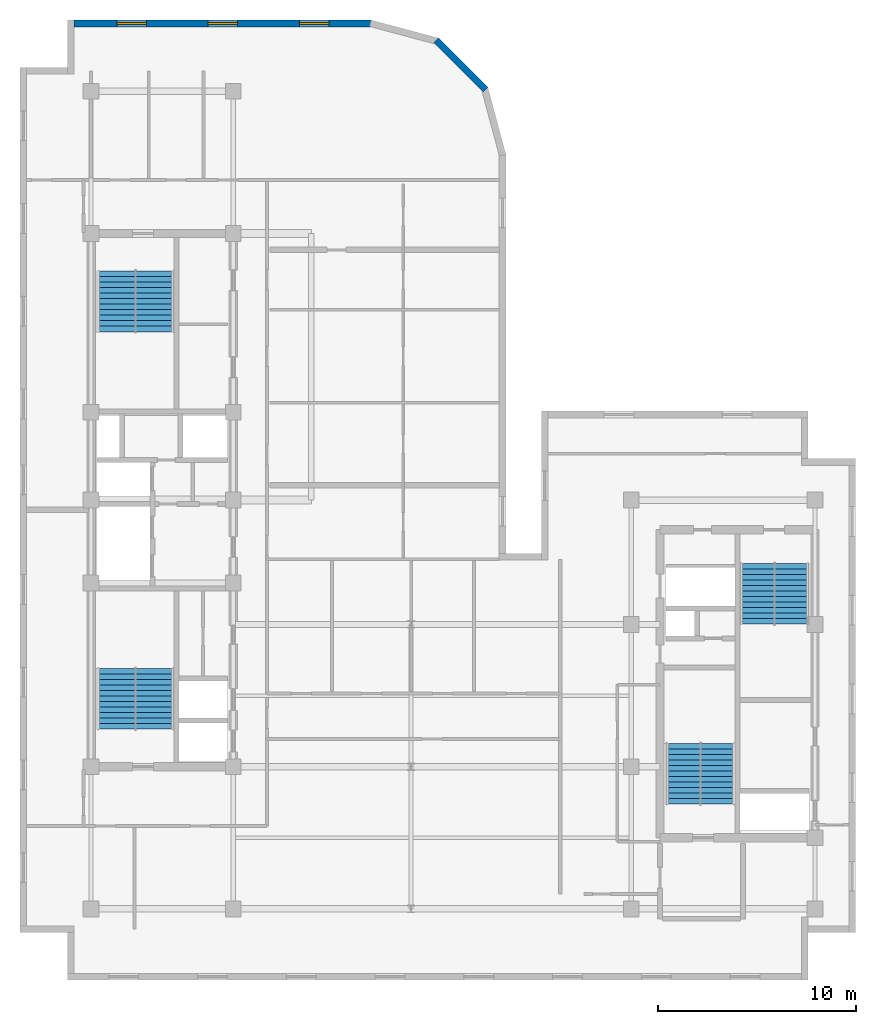
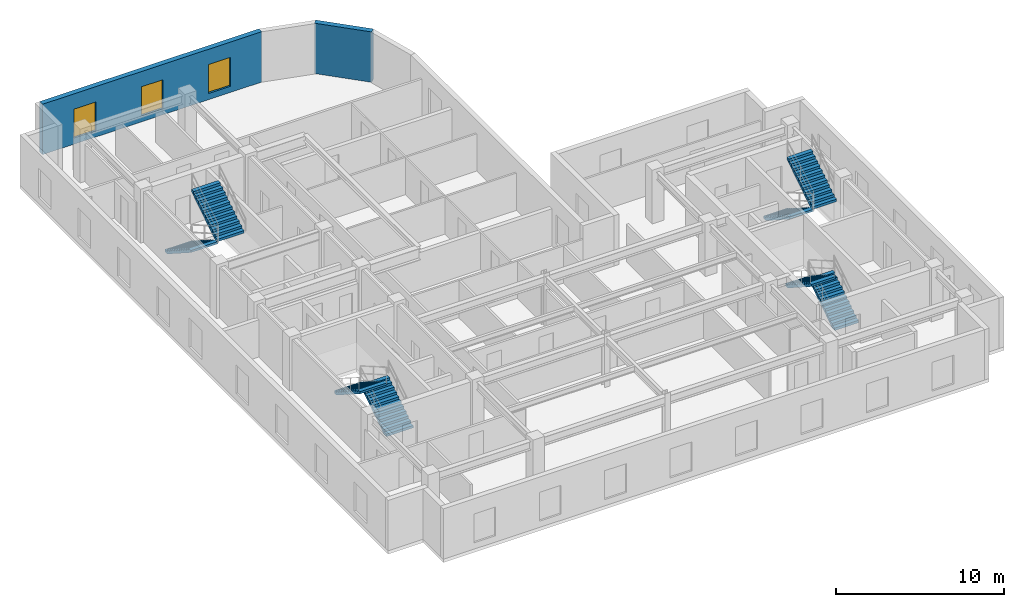
# One storey, part 7 of 10: 8 stair flights, 3 windows, 2 walls, 3 openings, 4 elements without a shape of their own.
"""IFC4 building model written with IfcOpenShell, lengths in metres."""

from ifc_helpers import new_model, entity, si_unit, converted_unit, direction, frame, origin_with_axes, origin_2d_with_axis, place, context, subcontext, project, spatial, polyline, rectangle, outline, extrude, material, layer, layer_set, type_object, element, fill, aggregate, save


model = new_model("IFC4")

# Units and contexts
model_context = context("Model", 3, precision=1e-05, world=origin_with_axes(), true_north=direction((0.0, 1.0)))
body_context = subcontext(model_context, "Body", "Model", "MODEL_VIEW")
ifc_project = project(units=[si_unit("LENGTHUNIT", "METRE"), si_unit("AREAUNIT", "SQUARE_METRE"), si_unit("VOLUMEUNIT", "CUBIC_METRE"), converted_unit("PLANEANGLEUNIT", "DEGREE", entity("IfcPlaneAngleMeasure", 0.017453292519943295), si_unit("PLANEANGLEUNIT", "RADIAN"), dimensions=[0, 0, 0, 0, 0, 0, 0]), si_unit("MASSUNIT", "GRAM", prefix="KILO"), si_unit("THERMODYNAMICTEMPERATUREUNIT", "KELVIN")], contexts=[model_context])

# Site, building, storey
site_placement = place(None, origin_with_axes())
site = spatial("IfcSite", under=ifc_project, at=site_placement, CompositionType="ELEMENT")
building_placement = place(site_placement, origin_with_axes())
building = spatial("IfcBuilding", under=site, at=building_placement, Name="Varnlund Millrace Tower", CompositionType="ELEMENT")
storey_placement = place(building_placement, frame((0.0, 0.0, 272.4), z_axis=(0.0, 0.0, 1.0), x_axis=(1.0, 0.0, 0.0)))
storey = spatial("IfcBuildingStorey", under=building, at=storey_placement, Name="L67", CompositionType="ELEMENT", Elevation=272.4)

# Wall, openings, windows
ifc_material_1 = material(Name="Precast concrete C50/60", Category="concrete")
ifc_layer = layer(ifc_material_1, 0.34, Name="Precast concrete C50/60")
ifc_layer_set = layer_set([ifc_layer], Name="Precast concrete C50/60")
wall_type = type_object("IfcWallType", Name="Type-ExtWall-Precast-Upper-340", PredefinedType="SOLIDWALL", material=ifc_layer_set)
wall_1_placement = place(storey_placement, frame((10.54, 48.43, 0.0), z_axis=(0.0, 0.0, 1.0), x_axis=(1.0, 0.0, 0.0)))
wall_1 = element("IfcWall", 1, at=wall_1_placement, inside=storey, type_object=wall_type, Name="Type-ExtWall-Precast-Upper-340", PredefinedType="SOLIDWALL", context=body_context, shape_type="SweptSolid", body=[
    extrude(outline(polyline([(0.0, -0.17), (15.06, -0.17), (15.06, 0.17), (0.0, 0.17), (0.0, -0.17)])), origin_with_axes(), (0.0, 0.0, 1.0), 3.66),
])
opening_1_placement = place(wall_1_placement, frame((2.91, 0.0, 0.45), z_axis=(0.0, 0.0, 1.0), x_axis=(1.0, 0.0, 0.0)))
opening_1 = element("IfcOpeningElement", 2, at=opening_1_placement, cuts=wall_1, Name="Opening L67:WN-26", PredefinedType="OPENING", context=body_context, shape_type="SweptSolid", body=[
    extrude(rectangle(XDim=1.5, YDim=0.36, at=origin_2d_with_axis()), origin_with_axes(), (0.0, 0.0, 1.0), 2.1),
])
opening_2_placement = place(wall_1_placement, frame((7.53, 0.0, 0.45), z_axis=(0.0, 0.0, 1.0), x_axis=(1.0, 0.0, 0.0)))
opening_2 = element("IfcOpeningElement", 3, at=opening_2_placement, cuts=wall_1, Name="Opening L67:WN-27", PredefinedType="OPENING", context=body_context, shape_type="SweptSolid", body=[
    extrude(rectangle(XDim=1.5, YDim=0.36, at=origin_2d_with_axis()), origin_with_axes(), (0.0, 0.0, 1.0), 2.1),
])
opening_3_placement = place(wall_1_placement, frame((12.15, 0.0, 0.45), z_axis=(0.0, 0.0, 1.0), x_axis=(1.0, 0.0, 0.0)))
opening_3 = element("IfcOpeningElement", 4, at=opening_3_placement, cuts=wall_1, Name="Opening L67:WN-28", PredefinedType="OPENING", context=body_context, shape_type="SweptSolid", body=[
    extrude(rectangle(XDim=1.5, YDim=0.36, at=origin_2d_with_axis()), origin_with_axes(), (0.0, 0.0, 1.0), 2.1),
])
ifc_material_2 = material(Name="Argon low-e triple glazing in thermally broken bronze frame", Category="glass")
window_type = type_object("IfcWindowType", Name="Type-Window-Punched-1500X2100", PartitioningType="SINGLE_PANEL", PredefinedType="WINDOW", material=ifc_material_2)
window_1_placement = place(wall_1_placement, frame((2.91, 0.0, 0.45), z_axis=(0.0, 0.0, 1.0), x_axis=(1.0, 0.0, 0.0)))
window_1 = element("IfcWindow", 5, at=window_1_placement, inside=storey, type_object=window_type, Name="Type-Window-Punched-1500X2100", OverallHeight=2.1, OverallWidth=1.5, PredefinedType="WINDOW", context=body_context, shape_type="SweptSolid", body=[
    extrude(rectangle(XDim=1.5, YDim=0.09, at=origin_2d_with_axis()), origin_with_axes(), (0.0, 0.0, 1.0), 2.1),
])
fill(opening_1, window_1)
window_2_placement = place(wall_1_placement, frame((7.53, 0.0, 0.45), z_axis=(0.0, 0.0, 1.0), x_axis=(1.0, 0.0, 0.0)))
window_2 = element("IfcWindow", 6, at=window_2_placement, inside=storey, type_object=window_type, Name="Type-Window-Punched-1500X2100", OverallHeight=2.1, OverallWidth=1.5, PredefinedType="WINDOW", context=body_context, shape_type="SweptSolid", body=[
    extrude(rectangle(XDim=1.5, YDim=0.09, at=origin_2d_with_axis()), origin_with_axes(), (0.0, 0.0, 1.0), 2.1),
])
fill(opening_2, window_2)
window_3_placement = place(wall_1_placement, frame((12.15, 0.0, 0.45), z_axis=(0.0, 0.0, 1.0), x_axis=(1.0, 0.0, 0.0)))
window_3 = element("IfcWindow", 7, at=window_3_placement, inside=storey, type_object=window_type, Name="Type-Window-Punched-1500X2100", OverallHeight=2.1, OverallWidth=1.5, PredefinedType="WINDOW", context=body_context, shape_type="SweptSolid", body=[
    extrude(rectangle(XDim=1.5, YDim=0.09, at=origin_2d_with_axis()), origin_with_axes(), (0.0, 0.0, 1.0), 2.1),
])
fill(opening_3, window_3)

# Wall
wall_2_placement = place(storey_placement, frame((28.866, 47.583, 0.0), z_axis=(0.0, 0.0, 1.0), x_axis=(0.707107, -0.707107, 0.0)))
element("IfcWall", 8, at=wall_2_placement, inside=storey, type_object=wall_type, Name="Type-ExtWall-Precast-Upper-340", PredefinedType="SOLIDWALL", context=body_context, shape_type="SweptSolid", body=[
    extrude(outline(polyline([(0.0, -0.17), (3.539777, -0.17), (3.539777, 0.17), (0.0, 0.17), (0.0, -0.17)])), origin_with_axes(), (0.0, 0.0, 1.0), 3.66),
])

# Stair, stair flights
ifc_material_3 = material(Name="Concrete C50/60", Category="concrete")
stair_type_1 = type_object("IfcStairType", Name="Type-Stair-Dogleg-165-390", PredefinedType="HALF_TURN_STAIR", material=ifc_material_3)
stair_1_placement = place(storey_placement, origin_with_axes())
stair_1 = element("IfcStair", 9, at=stair_1_placement, inside=storey, type_object=stair_type_1, Name="Type-Stair-Dogleg-165-390", PredefinedType="HALF_TURN_STAIR")
stair_flight_type_1 = type_object("IfcStairFlightType", Name="Type-Dogleg-Run-165-390", PredefinedType="STRAIGHT", material=ifc_material_1)
stair_flight_1_placement = place(storey_placement, frame((42.225, 8.9, 0.0), z_axis=(1.0, 0.0, 0.0), x_axis=(0.0, 1.0, 0.0)))
stair_flight_1 = element("IfcStairFlight", 10, at=stair_flight_1_placement, type_object=stair_flight_type_1, Name="ST-B1 flight 1", NumberOfRisers=11, NumberOfTreads=11, PredefinedType="STRAIGHT", RiserHeight=0.177273, TreadLength=0.28, context=body_context, shape_type="SweptSolid", body=[
    extrude(outline(polyline([(0.0, 0.0), (0.0, 0.177273), (0.28, 0.177273), (0.28, 0.354545), (0.56, 0.354545), (0.56, 0.531818), (0.84, 0.531818), (0.84, 0.709091), (1.12, 0.709091), (1.12, 0.886364), (1.4, 0.886364), (1.4, 1.063636), (1.68, 1.063636), (1.68, 1.240909), (1.96, 1.240909), (1.96, 1.418182), (2.24, 1.418182), (2.24, 1.595454), (2.52, 1.595454), (2.52, 1.772727), (2.8, 1.772727), (2.8, 1.95), (3.08, 1.95), (3.08, 1.8), (0.28, 0.0), (0.0, 0.0)])), origin_with_axes(), (0.0, 0.0, 1.0), 1.65),
])
stair_flight_2_placement = place(storey_placement, frame((42.275, 11.98, 1.95), z_axis=(-1.0, 0.0, 0.0), x_axis=(0.0, -1.0, 0.0)))
stair_flight_2 = element("IfcStairFlight", 11, at=stair_flight_2_placement, type_object=stair_flight_type_1, Name="ST-B1 flight 2", NumberOfRisers=11, NumberOfTreads=11, PredefinedType="STRAIGHT", RiserHeight=0.177273, TreadLength=0.28, context=body_context, shape_type="SweptSolid", body=[
    extrude(outline(polyline([(0.0, 0.0), (0.0, 0.177273), (0.28, 0.177273), (0.28, 0.354545), (0.56, 0.354545), (0.56, 0.531818), (0.84, 0.531818), (0.84, 0.709091), (1.12, 0.709091), (1.12, 0.886364), (1.4, 0.886364), (1.4, 1.063636), (1.68, 1.063636), (1.68, 1.240909), (1.96, 1.240909), (1.96, 1.418182), (2.24, 1.418182), (2.24, 1.595454), (2.52, 1.595454), (2.52, 1.772727), (2.8, 1.772727), (2.8, 1.95), (3.08, 1.95), (3.08, 1.8), (0.28, 0.0), (0.0, 0.0)])), origin_with_axes(), (0.0, 0.0, 1.0), 1.65),
])
aggregate(stair_1, [stair_flight_1, stair_flight_2])

stair_2_placement = place(storey_placement, origin_with_axes())
stair_2 = element("IfcStair", 12, at=stair_2_placement, inside=storey, type_object=stair_type_1, Name="Type-Stair-Dogleg-165-390", PredefinedType="HALF_TURN_STAIR")
stair_flight_3_placement = place(storey_placement, frame((46.025, 21.1, 0.0), z_axis=(-1.0, 0.0, 0.0), x_axis=(0.0, -1.0, 0.0)))
stair_flight_3 = element("IfcStairFlight", 13, at=stair_flight_3_placement, type_object=stair_flight_type_1, Name="ST-B2 flight 1", NumberOfRisers=11, NumberOfTreads=11, PredefinedType="STRAIGHT", RiserHeight=0.177273, TreadLength=0.28, context=body_context, shape_type="SweptSolid", body=[
    extrude(outline(polyline([(0.0, 0.0), (0.0, 0.177273), (0.28, 0.177273), (0.28, 0.354545), (0.56, 0.354545), (0.56, 0.531818), (0.84, 0.531818), (0.84, 0.709091), (1.12, 0.709091), (1.12, 0.886364), (1.4, 0.886364), (1.4, 1.063636), (1.68, 1.063636), (1.68, 1.240909), (1.96, 1.240909), (1.96, 1.418182), (2.24, 1.418182), (2.24, 1.595454), (2.52, 1.595454), (2.52, 1.772727), (2.8, 1.772727), (2.8, 1.95), (3.08, 1.95), (3.08, 1.8), (0.28, 0.0), (0.0, 0.0)])), origin_with_axes(), (0.0, 0.0, 1.0), 1.65),
])
stair_flight_4_placement = place(storey_placement, frame((45.975, 18.02, 1.95), z_axis=(1.0, 0.0, 0.0), x_axis=(0.0, 1.0, 0.0)))
stair_flight_4 = element("IfcStairFlight", 14, at=stair_flight_4_placement, type_object=stair_flight_type_1, Name="ST-B2 flight 2", NumberOfRisers=11, NumberOfTreads=11, PredefinedType="STRAIGHT", RiserHeight=0.177273, TreadLength=0.28, context=body_context, shape_type="SweptSolid", body=[
    extrude(outline(polyline([(0.0, 0.0), (0.0, 0.177273), (0.28, 0.177273), (0.28, 0.354545), (0.56, 0.354545), (0.56, 0.531818), (0.84, 0.531818), (0.84, 0.709091), (1.12, 0.709091), (1.12, 0.886364), (1.4, 0.886364), (1.4, 1.063636), (1.68, 1.063636), (1.68, 1.240909), (1.96, 1.240909), (1.96, 1.418182), (2.24, 1.418182), (2.24, 1.595454), (2.52, 1.595454), (2.52, 1.772727), (2.8, 1.772727), (2.8, 1.95), (3.08, 1.95), (3.08, 1.8), (0.28, 0.0), (0.0, 0.0)])), origin_with_axes(), (0.0, 0.0, 1.0), 1.65),
])
aggregate(stair_2, [stair_flight_3, stair_flight_4])

stair_type_2 = type_object("IfcStairType", Name="Type-Stair-Dogleg-185-390", PredefinedType="HALF_TURN_STAIR", material=ifc_material_3)
stair_3_placement = place(storey_placement, origin_with_axes())
stair_3 = element("IfcStair", 15, at=stair_3_placement, inside=storey, type_object=stair_type_2, Name="Type-Stair-Dogleg-185-390", PredefinedType="HALF_TURN_STAIR")
stair_flight_type_2 = type_object("IfcStairFlightType", Name="Type-Dogleg-Run-185-390", PredefinedType="STRAIGHT", material=ifc_material_1)
stair_flight_5_placement = place(storey_placement, frame((13.625, 12.7, 0.0), z_axis=(1.0, 0.0, 0.0), x_axis=(0.0, 1.0, 0.0)))
stair_flight_5 = element("IfcStairFlight", 16, at=stair_flight_5_placement, type_object=stair_flight_type_2, Name="ST-A1 flight 1", NumberOfRisers=11, NumberOfTreads=11, PredefinedType="STRAIGHT", RiserHeight=0.177273, TreadLength=0.28, context=body_context, shape_type="SweptSolid", body=[
    extrude(outline(polyline([(0.0, 0.0), (0.0, 0.177273), (0.28, 0.177273), (0.28, 0.354545), (0.56, 0.354545), (0.56, 0.531818), (0.84, 0.531818), (0.84, 0.709091), (1.12, 0.709091), (1.12, 0.886364), (1.4, 0.886364), (1.4, 1.063636), (1.68, 1.063636), (1.68, 1.240909), (1.96, 1.240909), (1.96, 1.418182), (2.24, 1.418182), (2.24, 1.595454), (2.52, 1.595454), (2.52, 1.772727), (2.8, 1.772727), (2.8, 1.95), (3.08, 1.95), (3.08, 1.8), (0.28, 0.0), (0.0, 0.0)])), origin_with_axes(), (0.0, 0.0, 1.0), 1.85),
])
stair_flight_6_placement = place(storey_placement, frame((13.675, 15.78, 1.95), z_axis=(-1.0, 0.0, 0.0), x_axis=(0.0, -1.0, 0.0)))
stair_flight_6 = element("IfcStairFlight", 17, at=stair_flight_6_placement, type_object=stair_flight_type_2, Name="ST-A1 flight 2", NumberOfRisers=11, NumberOfTreads=11, PredefinedType="STRAIGHT", RiserHeight=0.177273, TreadLength=0.28, context=body_context, shape_type="SweptSolid", body=[
    extrude(outline(polyline([(0.0, 0.0), (0.0, 0.177273), (0.28, 0.177273), (0.28, 0.354545), (0.56, 0.354545), (0.56, 0.531818), (0.84, 0.531818), (0.84, 0.709091), (1.12, 0.709091), (1.12, 0.886364), (1.4, 0.886364), (1.4, 1.063636), (1.68, 1.063636), (1.68, 1.240909), (1.96, 1.240909), (1.96, 1.418182), (2.24, 1.418182), (2.24, 1.595454), (2.52, 1.595454), (2.52, 1.772727), (2.8, 1.772727), (2.8, 1.95), (3.08, 1.95), (3.08, 1.8), (0.28, 0.0), (0.0, 0.0)])), origin_with_axes(), (0.0, 0.0, 1.0), 1.85),
])
aggregate(stair_3, [stair_flight_5, stair_flight_6])

stair_4_placement = place(storey_placement, origin_with_axes())
stair_4 = element("IfcStair", 18, at=stair_4_placement, inside=storey, type_object=stair_type_2, Name="Type-Stair-Dogleg-185-390", PredefinedType="HALF_TURN_STAIR")
stair_flight_7_placement = place(storey_placement, frame((13.675, 35.9, 0.0), z_axis=(-1.0, 0.0, 0.0), x_axis=(0.0, -1.0, 0.0)))
stair_flight_7 = element("IfcStairFlight", 19, at=stair_flight_7_placement, type_object=stair_flight_type_2, Name="ST-A2 flight 1", NumberOfRisers=11, NumberOfTreads=11, PredefinedType="STRAIGHT", RiserHeight=0.177273, TreadLength=0.28, context=body_context, shape_type="SweptSolid", body=[
    extrude(outline(polyline([(0.0, 0.0), (0.0, 0.177273), (0.28, 0.177273), (0.28, 0.354545), (0.56, 0.354545), (0.56, 0.531818), (0.84, 0.531818), (0.84, 0.709091), (1.12, 0.709091), (1.12, 0.886364), (1.4, 0.886364), (1.4, 1.063636), (1.68, 1.063636), (1.68, 1.240909), (1.96, 1.240909), (1.96, 1.418182), (2.24, 1.418182), (2.24, 1.595454), (2.52, 1.595454), (2.52, 1.772727), (2.8, 1.772727), (2.8, 1.95), (3.08, 1.95), (3.08, 1.8), (0.28, 0.0), (0.0, 0.0)])), origin_with_axes(), (0.0, 0.0, 1.0), 1.85),
])
stair_flight_8_placement = place(storey_placement, frame((13.625, 32.82, 1.95), z_axis=(1.0, 0.0, 0.0), x_axis=(0.0, 1.0, 0.0)))
stair_flight_8 = element("IfcStairFlight", 20, at=stair_flight_8_placement, type_object=stair_flight_type_2, Name="ST-A2 flight 2", NumberOfRisers=11, NumberOfTreads=11, PredefinedType="STRAIGHT", RiserHeight=0.177273, TreadLength=0.28, context=body_context, shape_type="SweptSolid", body=[
    extrude(outline(polyline([(0.0, 0.0), (0.0, 0.177273), (0.28, 0.177273), (0.28, 0.354545), (0.56, 0.354545), (0.56, 0.531818), (0.84, 0.531818), (0.84, 0.709091), (1.12, 0.709091), (1.12, 0.886364), (1.4, 0.886364), (1.4, 1.063636), (1.68, 1.063636), (1.68, 1.240909), (1.96, 1.240909), (1.96, 1.418182), (2.24, 1.418182), (2.24, 1.595454), (2.52, 1.595454), (2.52, 1.772727), (2.8, 1.772727), (2.8, 1.95), (3.08, 1.95), (3.08, 1.8), (0.28, 0.0), (0.0, 0.0)])), origin_with_axes(), (0.0, 0.0, 1.0), 1.85),
])
aggregate(stair_4, [stair_flight_7, stair_flight_8])

save(model, "model.ifc")
